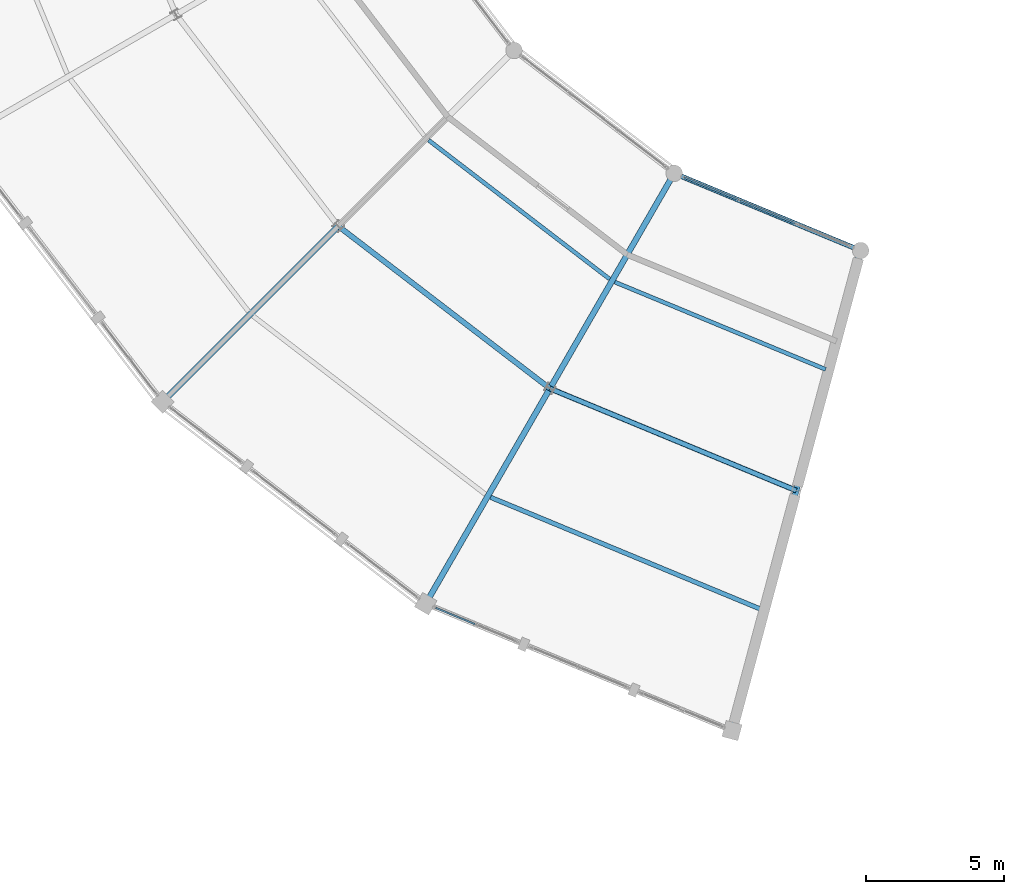
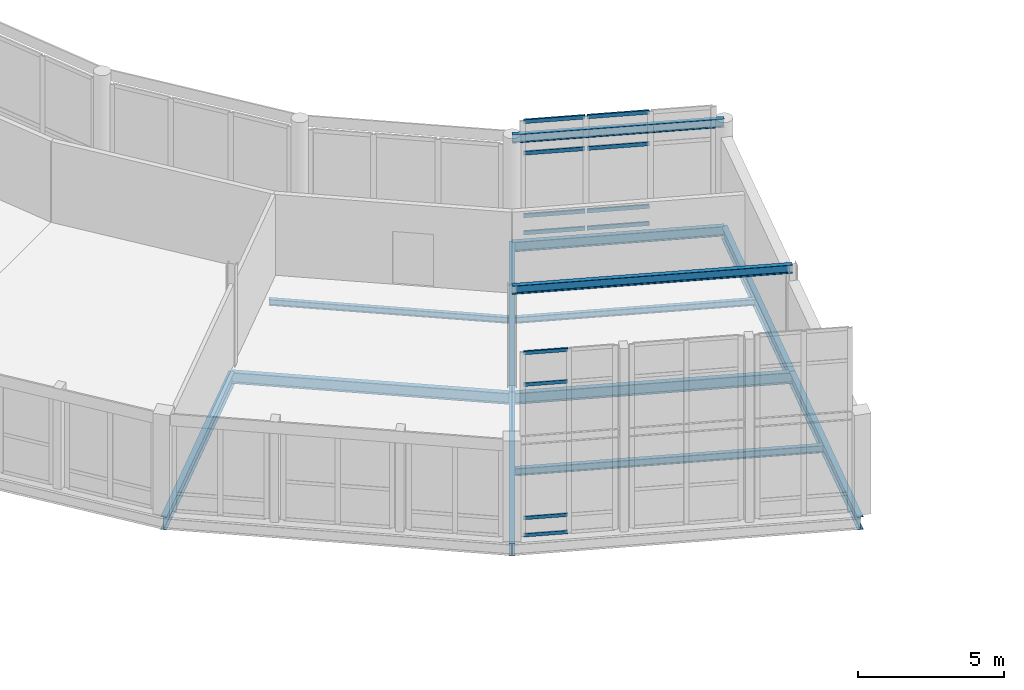
# One storey, part 36 of 170: 13 beams, 12 members, 2 elements without a shape of their own.
"""IFC4 building model written with IfcOpenShell, lengths in metres."""

from ifc_helpers import new_model, si_unit, direction, frame, origin, origin_2d, place, context, subcontext, project, spatial, hollow_rectangle, i_section, extrude, material, material_profile, profile_set, type_object, element, aggregate, save


model = new_model("IFC4")

# Units and contexts
model_context = context("Model", 3, precision=1e-05, world=origin(), true_north=direction((0.0, 1.0)))
body_context = subcontext(model_context, "Body", "Model", "MODEL_VIEW")
ifc_project = project(units=[si_unit("LENGTHUNIT", "METRE"), si_unit("AREAUNIT", "SQUARE_METRE"), si_unit("VOLUMEUNIT", "CUBIC_METRE"), si_unit("PLANEANGLEUNIT", "RADIAN"), si_unit("MASSUNIT", "GRAM", prefix="KILO")], contexts=[model_context])

# Site, building, storey
site_placement = place(None, origin())
site = spatial("IfcSite", under=ifc_project, at=site_placement, CompositionType="ELEMENT")
building_placement = place(site_placement, origin())
building = spatial("IfcBuilding", under=site, at=building_placement, Name="Vondelvale Polytechnic", CompositionType="ELEMENT")
storey_placement = place(building_placement, frame((0.0, 0.0, 5.39990234375)))
storey = spatial("IfcBuildingStorey", under=building, at=storey_placement, Name="L01", CompositionType="ELEMENT", Elevation=5.39990234375)

# Beams
ifc_material_1 = material(Name="Steel 300PLUS (fy = 300 MPa)", Category="steel")
ifc_material_profile_1 = material_profile(ifc_material_1, i_section(OverallWidth=0.1708984375, OverallDepth=0.35205078125, WebThickness=0.0068359375, FlangeThickness=0.009765625, FilletRadius=0.011474609375, at=origin_2d()), Name="360UB44.7")
ifc_profile_set_1 = profile_set([ifc_material_profile_1], Name="Steel 300PLUS (fy = 300 MPa)")
beam_type_1 = type_object("IfcBeamType", Name="BM-UB360L", PredefinedType="BEAM", material=ifc_profile_set_1)
beam_1_placement = place(storey_placement, frame((88.0, 47.751220703125, 4.024169921875), z_axis=(0.923886161226, -0.382667428841, 0.0), x_axis=(0.382667428841, 0.923886161226, 0.0)))
element("IfcBeam", 1, at=beam_1_placement, inside=storey, type_object=beam_type_1, Name="L01 RE B-24", PredefinedType="BEAM", context=body_context, shape_type="SweptSolid", body=[
    extrude(i_section(OverallWidth=0.1708984375, OverallDepth=0.35205078125, WebThickness=0.0068359375, FlangeThickness=0.009765625, FilletRadius=0.011474609375, at=origin_2d()), origin(), (0.0, 0.0, 1.0), 7.3095703125),
])
beam_2_placement = place(storey_placement, frame((83.5, 39.95703125, 4.024169921875), z_axis=(0.923878816854, -0.38268516011, 0.0), x_axis=(0.38268516011, 0.923878816854, 0.0)))
element("IfcBeam", 2, at=beam_2_placement, inside=storey, type_object=beam_type_1, Name="L01 RE B-24", PredefinedType="BEAM", context=body_context, shape_type="SweptSolid", body=[
    extrude(i_section(OverallWidth=0.1708984375, OverallDepth=0.35205078125, WebThickness=0.0068359375, FlangeThickness=0.009765625, FilletRadius=0.011474609375, at=origin_2d()), origin(), (0.0, 0.0, 1.0), 9.658935546875),
])
ifc_material_profile_2 = material_profile(ifc_material_1, i_section(OverallWidth=0.177978515625, OverallDepth=0.406005859375, WebThickness=0.0078125, FlangeThickness=0.0126953125, FilletRadius=0.011474609375, at=origin_2d()), Name="410UB59.7")
ifc_profile_set_2 = profile_set([ifc_material_profile_2], Name="Steel 300PLUS (fy = 300 MPa)")
beam_type_2 = type_object("IfcBeamType", Name="BM-UB410", PredefinedType="BEAM", material=ifc_profile_set_2)
beam_3_placement = place(storey_placement, frame((88.0, 47.751220703125, -0.48291015625), z_axis=(0.923886161226, -0.382667428841, 0.0), x_axis=(0.382667428841, 0.923886161226, 0.0)))
element("IfcBeam", 3, at=beam_3_placement, inside=storey, type_object=beam_type_2, Name="L01 RB B-14", PredefinedType="BEAM", context=body_context, shape_type="SweptSolid", body=[
    extrude(i_section(OverallWidth=0.177978515625, OverallDepth=0.406005859375, WebThickness=0.0078125, FlangeThickness=0.0126953125, FilletRadius=0.011474609375, at=origin_2d()), origin(), (0.0, 0.0, 1.0), 7.3095703125),
])
ifc_material_profile_3 = material_profile(ifc_material_1, i_section(OverallWidth=0.19091796875, OverallDepth=0.4599609375, WebThickness=0.010009765625, FlangeThickness=0.01611328125, FilletRadius=0.011474609375, at=origin_2d()), Name="460UB82.1")
ifc_profile_set_3 = profile_set([ifc_material_profile_3], Name="Steel 300PLUS (fy = 300 MPa)")
beam_type_3 = type_object("IfcBeamType", Name="BM-UB460H", PredefinedType="BEAM", material=ifc_profile_set_3)
for number, where, z_axis, x_axis, name in (
    (4, (75.8369140625, 45.8369140625, -0.510009765625), (0.793363832402, -0.60874775518, 0.0), (0.60874775518, 0.793363832402, 0.0), "L01 RB B-12"),
    (5, (83.5, 39.95703125, -0.510009765625), (0.923878816854, -0.38268516011, 0.0), (0.38268516011, 0.923878816854, 0.0), "L01 RB B-12"),
):
    element("IfcBeam", number, at=place(storey_placement, frame(where, z_axis=z_axis, x_axis=x_axis)), inside=storey, type_object=beam_type_3, Name=name, PredefinedType="BEAM", context=body_context, shape_type="SweptSolid", body=[
        extrude(i_section(OverallWidth=0.19091796875, OverallDepth=0.4599609375, WebThickness=0.010009765625, FlangeThickness=0.01611328125, FilletRadius=0.011474609375, at=origin_2d()), origin(), (0.0, 0.0, 1.0), 9.658935546875),
    ])
ifc_material_profile_4 = material_profile(ifc_material_1, i_section(OverallWidth=0.208984375, OverallDepth=0.532958984375, WebThickness=0.01025390625, FlangeThickness=0.015625, FilletRadius=0.013916015625, at=origin_2d()), Name="530UB92.4")
ifc_profile_set_4 = profile_set([ifc_material_profile_4], Name="Steel 300PLUS (fy = 300 MPa)")
beam_type_4 = type_object("IfcBeamType", Name="BM-UB530", PredefinedType="BEAM", material=ifc_profile_set_4)
beam_4_placement = place(storey_placement, frame((75.8369140625, 45.8369140625, -0.54638671875), z_axis=(-0.707106781187, -0.707106781187, 0.0), x_axis=(0.707106781187, -0.707106781187, 0.0)))
element("IfcBeam", 6, at=beam_4_placement, inside=storey, type_object=beam_type_4, Name="L01 RG B-11", PredefinedType="BEAM", context=body_context, shape_type="SweptSolid", body=[
    extrude(i_section(OverallWidth=0.208984375, OverallDepth=0.532958984375, WebThickness=0.01025390625, FlangeThickness=0.015625, FilletRadius=0.013916015625, at=origin_2d()), origin(), (0.0, 0.0, 1.0), 8.999755859375),
])
for number, where, z_axis, x_axis, name in (
    (7, (88.0, 47.751220703125, -0.54638671875), (-0.5000018851, -0.866024315419, 0.0), (0.866024315419, -0.5000018851, 0.0), "L01 RG B-11"),
    (8, (83.5, 39.95703125, -0.54638671875), (-0.5000018851, -0.866024315419, 0.0), (0.866024315419, -0.5000018851, 0.0), "L01 RG B-11"),
    (9, (94.753173828125, 44.9541015625, -0.54638671875), (-0.258840941576, -0.965919958881, 0.0), (0.965919958881, -0.258840941576, 0.0), "L01 RG B-11"),
    (10, (92.423583984375, 36.2607421875, -0.54638671875), (-0.25881563226, -0.965926740751, 0.0), (0.965926740751, -0.25881563226, 0.0), "L01 RG B-11"),
):
    element("IfcBeam", number, at=place(storey_placement, frame(where, z_axis=z_axis, x_axis=x_axis)), inside=storey, type_object=beam_type_4, Name=name, PredefinedType="BEAM", context=body_context, shape_type="SweptSolid", body=[
        extrude(i_section(OverallWidth=0.208984375, OverallDepth=0.532958984375, WebThickness=0.01025390625, FlangeThickness=0.015625, FilletRadius=0.013916015625, at=origin_2d()), origin(), (0.0, 0.0, 1.0), 9.0),
    ])

# Curtain wall, members
ifc_material_2 = material(Name="Glulam GL18 structural Tasmanian oak (fb = 42 MPa)", Category="wood")
curtain_wall_type_1 = type_object("IfcCurtainWallType", Name="CW-RING-OUTER", PredefinedType="NOTDEFINED", material=ifc_material_2)
curtain_wall_1_placement = place(storey_placement, origin())
curtain_wall_1 = element("IfcCurtainWall", 11, at=curtain_wall_1_placement, inside=storey, type_object=curtain_wall_type_1, Name="L01 architectural curtain wall CW-04-330", PredefinedType="NOTDEFINED")
ifc_material_3 = material(Name="Anodised extruded aluminium 6063-T6", Category="aluminium")
ifc_material_profile_5 = material_profile(ifc_material_3, hollow_rectangle(XDim=0.06005859375, YDim=0.139892578125, WallThickness=0.00341796875, at=origin_2d()), Name="CW-TRN-140x60")
ifc_profile_set_5 = profile_set([ifc_material_profile_5], Name="Anodised extruded aluminium 6063-T6")
member_type_1 = type_object("IfcMemberType", Name="CW-TRN-60x140", PredefinedType="USERDEFINED", material=ifc_profile_set_5)
member_1_placement = place(storey_placement, frame((79.367431640625, 32.0107421875, 0.030029296875), z_axis=(0.923839843027, -0.382779237206, 0.0), x_axis=(0.382779237206, 0.923839843027, 0.0)))
member_1 = element("IfcMember", 12, at=member_1_placement, type_object=member_type_1, Name="CW-04-330 transom 1.1", ObjectType="TRANSOM", PredefinedType="USERDEFINED", context=body_context, shape_type="SweptSolid", body=[
    extrude(hollow_rectangle(XDim=0.06005859375, YDim=0.139892578125, WallThickness=0.00341796875, at=origin_2d()), origin(), (0.0, 0.0, 1.0), 1.530029296875),
])
member_2_placement = place(storey_placement, frame((79.367431640625, 32.0107421875, 0.75), z_axis=(0.923839843027, -0.382779237206, 0.0), x_axis=(0.382779237206, 0.923839843027, 0.0)))
member_2 = element("IfcMember", 13, at=member_2_placement, type_object=member_type_1, Name="CW-04-330 transom 1.2", ObjectType="TRANSOM", PredefinedType="USERDEFINED", context=body_context, shape_type="SweptSolid", body=[
    extrude(hollow_rectangle(XDim=0.06005859375, YDim=0.139892578125, WallThickness=0.00341796875, at=origin_2d()), origin(), (0.0, 0.0, 1.0), 1.530029296875),
])
member_3_placement = place(storey_placement, frame((79.367431640625, 32.0107421875, 6.3115234375), z_axis=(0.923839843027, -0.382779237206, 0.0), x_axis=(0.382779237206, 0.923839843027, 0.0)))
member_3 = element("IfcMember", 14, at=member_3_placement, type_object=member_type_1, Name="CW-04-330 transom 1.3", ObjectType="TRANSOM", PredefinedType="USERDEFINED", context=body_context, shape_type="SweptSolid", body=[
    extrude(hollow_rectangle(XDim=0.06005859375, YDim=0.139892578125, WallThickness=0.00341796875, at=origin_2d()), origin(), (0.0, 0.0, 1.0), 1.530029296875),
])
member_4_placement = place(storey_placement, frame((79.367431640625, 32.0107421875, 7.631591796875), z_axis=(0.923839843027, -0.382779237206, 0.0), x_axis=(0.382779237206, 0.923839843027, 0.0)))
member_4 = element("IfcMember", 15, at=member_4_placement, type_object=member_type_1, Name="CW-04-330 transom 1.4", ObjectType="TRANSOM", PredefinedType="USERDEFINED", context=body_context, shape_type="SweptSolid", body=[
    extrude(hollow_rectangle(XDim=0.06005859375, YDim=0.139892578125, WallThickness=0.00341796875, at=origin_2d()), origin(), (0.0, 0.0, 1.0), 1.530029296875),
])
aggregate(curtain_wall_1, [member_1, member_2, member_3, member_4])

curtain_wall_type_2 = type_object("IfcCurtainWallType", Name="CW-RING-CLOISTER", PredefinedType="NOTDEFINED", material=ifc_material_3)
curtain_wall_2_placement = place(storey_placement, origin())
curtain_wall_2 = element("IfcCurtainWall", 16, at=curtain_wall_2_placement, inside=storey, type_object=curtain_wall_type_2, Name="L01 architectural curtain wall CW-03-329", PredefinedType="NOTDEFINED")
ifc_material_profile_6 = material_profile(ifc_material_3, hollow_rectangle(XDim=0.06494140625, YDim=0.159912109375, WallThickness=0.00341796875, at=origin_2d()), Name="CW-TRN-160x65")
ifc_profile_set_6 = profile_set([ifc_material_profile_6], Name="Anodised extruded aluminium 6063-T6")
member_type_2 = type_object("IfcMemberType", Name="CW-TRN-70x160", PredefinedType="USERDEFINED", material=ifc_profile_set_6)
member_5_placement = place(storey_placement, frame((88.36962890625, 47.59814453125, 0.03271484375), z_axis=(0.923902685011, -0.382627532503, 0.0), x_axis=(0.382627532503, 0.923902685011, 0.0)))
member_5 = element("IfcMember", 17, at=member_5_placement, type_object=member_type_2, Name="CW-03-329 transom 1.1", ObjectType="TRANSOM", PredefinedType="USERDEFINED", context=body_context, shape_type="SweptSolid", body=[
    extrude(hollow_rectangle(XDim=0.06494140625, YDim=0.159912109375, WallThickness=0.00341796875, at=origin_2d()), origin(), (0.0, 0.0, 1.0), 2.111328125),
])
member_6_placement = place(storey_placement, frame((88.36962890625, 47.59814453125, 0.75), z_axis=(0.923902685011, -0.382627532503, 0.0), x_axis=(0.382627532503, 0.923902685011, 0.0)))
member_6 = element("IfcMember", 18, at=member_6_placement, type_object=member_type_2, Name="CW-03-329 transom 1.2", ObjectType="TRANSOM", PredefinedType="USERDEFINED", context=body_context, shape_type="SweptSolid", body=[
    extrude(hollow_rectangle(XDim=0.06494140625, YDim=0.159912109375, WallThickness=0.00341796875, at=origin_2d()), origin(), (0.0, 0.0, 1.0), 2.111328125),
])
member_7_placement = place(storey_placement, frame((88.36962890625, 47.59814453125, 3.36328125), z_axis=(0.923902685011, -0.382627532503, 0.0), x_axis=(0.382627532503, 0.923902685011, 0.0)))
member_7 = element("IfcMember", 19, at=member_7_placement, type_object=member_type_2, Name="CW-03-329 transom 1.3", ObjectType="TRANSOM", PredefinedType="USERDEFINED", context=body_context, shape_type="SweptSolid", body=[
    extrude(hollow_rectangle(XDim=0.06494140625, YDim=0.159912109375, WallThickness=0.00341796875, at=origin_2d()), origin(), (0.0, 0.0, 1.0), 2.111328125),
])
member_8_placement = place(storey_placement, frame((88.36962890625, 47.59814453125, 4.680908203125), z_axis=(0.923902685011, -0.382627532503, 0.0), x_axis=(0.382627532503, 0.923902685011, 0.0)))
member_8 = element("IfcMember", 20, at=member_8_placement, type_object=member_type_2, Name="CW-03-329 transom 1.4", ObjectType="TRANSOM", PredefinedType="USERDEFINED", context=body_context, shape_type="SweptSolid", body=[
    extrude(hollow_rectangle(XDim=0.06494140625, YDim=0.159912109375, WallThickness=0.00341796875, at=origin_2d()), origin(), (0.0, 0.0, 1.0), 2.111328125),
])
member_9_placement = place(storey_placement, frame((90.385009765625, 46.763427734375, 0.03271484375), z_axis=(0.923865730094, -0.382716752649, 0.0), x_axis=(0.382716752649, 0.923865730094, 0.0)))
member_9 = element("IfcMember", 21, at=member_9_placement, type_object=member_type_2, Name="CW-03-329 transom 2.1", ObjectType="TRANSOM", PredefinedType="USERDEFINED", context=body_context, shape_type="SweptSolid", body=[
    extrude(hollow_rectangle(XDim=0.06494140625, YDim=0.159912109375, WallThickness=0.00341796875, at=origin_2d()), origin(), (0.0, 0.0, 1.0), 2.146484375),
])
member_10_placement = place(storey_placement, frame((90.385009765625, 46.763427734375, 0.75), z_axis=(0.923865730094, -0.382716752649, 0.0), x_axis=(0.382716752649, 0.923865730094, 0.0)))
member_10 = element("IfcMember", 22, at=member_10_placement, type_object=member_type_2, Name="CW-03-329 transom 2.2", ObjectType="TRANSOM", PredefinedType="USERDEFINED", context=body_context, shape_type="SweptSolid", body=[
    extrude(hollow_rectangle(XDim=0.06494140625, YDim=0.159912109375, WallThickness=0.00341796875, at=origin_2d()), origin(), (0.0, 0.0, 1.0), 2.146484375),
])
member_11_placement = place(storey_placement, frame((90.385009765625, 46.763427734375, 3.36328125), z_axis=(0.923865730094, -0.382716752649, 0.0), x_axis=(0.382716752649, 0.923865730094, 0.0)))
member_11 = element("IfcMember", 23, at=member_11_placement, type_object=member_type_2, Name="CW-03-329 transom 2.3", ObjectType="TRANSOM", PredefinedType="USERDEFINED", context=body_context, shape_type="SweptSolid", body=[
    extrude(hollow_rectangle(XDim=0.06494140625, YDim=0.159912109375, WallThickness=0.00341796875, at=origin_2d()), origin(), (0.0, 0.0, 1.0), 2.146484375),
])
member_12_placement = place(storey_placement, frame((90.385009765625, 46.763427734375, 4.680908203125), z_axis=(0.923865730094, -0.382716752649, 0.0), x_axis=(0.382716752649, 0.923865730094, 0.0)))
member_12 = element("IfcMember", 24, at=member_12_placement, type_object=member_type_2, Name="CW-03-329 transom 2.4", ObjectType="TRANSOM", PredefinedType="USERDEFINED", context=body_context, shape_type="SweptSolid", body=[
    extrude(hollow_rectangle(XDim=0.06494140625, YDim=0.159912109375, WallThickness=0.00341796875, at=origin_2d()), origin(), (0.0, 0.0, 1.0), 2.146484375),
])
aggregate(curtain_wall_2, [member_5, member_6, member_7, member_8, member_9, member_10, member_11, member_12])

# Beams
ifc_material_profile_7 = material_profile(ifc_material_1, i_section(OverallWidth=0.14599609375, OverallDepth=0.256103515625, WebThickness=0.00634765625, FlangeThickness=0.010986328125, FilletRadius=0.0087890625, at=origin_2d()), Name="250UB37.3")
ifc_profile_set_7 = profile_set([ifc_material_profile_7], Name="Steel 300PLUS (fy = 300 MPa)")
beam_type_5 = type_object("IfcBeamType", Name="JST-UB250", PredefinedType="JOIST", material=ifc_profile_set_7)
beam_5_placement = place(storey_placement, frame((79.106201171875, 48.951904296875, -0.407958984375), z_axis=(0.793361419587, -0.608750899721, 0.0), x_axis=(0.608750899721, 0.793361419587, 0.0)))
element("IfcBeam", 25, at=beam_5_placement, inside=storey, type_object=beam_type_5, Name="L01 RJ J-06", PredefinedType="JOIST", context=body_context, shape_type="SweptSolid", body=[
    extrude(i_section(OverallWidth=0.14599609375, OverallDepth=0.256103515625, WebThickness=0.00634765625, FlangeThickness=0.010986328125, FilletRadius=0.0087890625, at=origin_2d()), origin(), (0.0, 0.0, 1.0), 8.26416015625),
])
beam_6_placement = place(storey_placement, frame((85.8515625, 43.81201171875, -0.407958984375), z_axis=(0.923880733098, -0.38268053388, 0.0), x_axis=(0.38268053388, 0.923880733098, 0.0)))
element("IfcBeam", 26, at=beam_6_placement, inside=storey, type_object=beam_type_5, Name="L01 RJ J-06", PredefinedType="JOIST", context=body_context, shape_type="SweptSolid", body=[
    extrude(i_section(OverallWidth=0.14599609375, OverallDepth=0.256103515625, WebThickness=0.00634765625, FlangeThickness=0.010986328125, FilletRadius=0.0087890625, at=origin_2d()), origin(), (0.0, 0.0, 1.0), 8.264404296875),
])
ifc_material_profile_8 = material_profile(ifc_material_1, i_section(OverallWidth=0.1650390625, OverallDepth=0.303955078125, WebThickness=0.006103515625, FlangeThickness=0.01025390625, FilletRadius=0.011474609375, at=origin_2d()), Name="310UB40.4")
ifc_profile_set_8 = profile_set([ifc_material_profile_8], Name="Steel 300PLUS (fy = 300 MPa)")
beam_type_6 = type_object("IfcBeamType", Name="JST-UB310", PredefinedType="JOIST", material=ifc_profile_set_8)
beam_7_placement = place(storey_placement, frame((81.3515625, 36.017822265625, -0.431884765625), z_axis=(0.923886751865, -0.382666002839, 0.0), x_axis=(0.382666002839, 0.923886751865, 0.0)))
element("IfcBeam", 27, at=beam_7_placement, inside=storey, type_object=beam_type_6, Name="L01 RJ J-05", PredefinedType="JOIST", context=body_context, shape_type="SweptSolid", body=[
    extrude(i_section(OverallWidth=0.1650390625, OverallDepth=0.303955078125, WebThickness=0.006103515625, FlangeThickness=0.01025390625, FilletRadius=0.011474609375, at=origin_2d()), origin(), (0.0, 0.0, 1.0), 10.61376953125),
])

save(model, "model.ifc")
